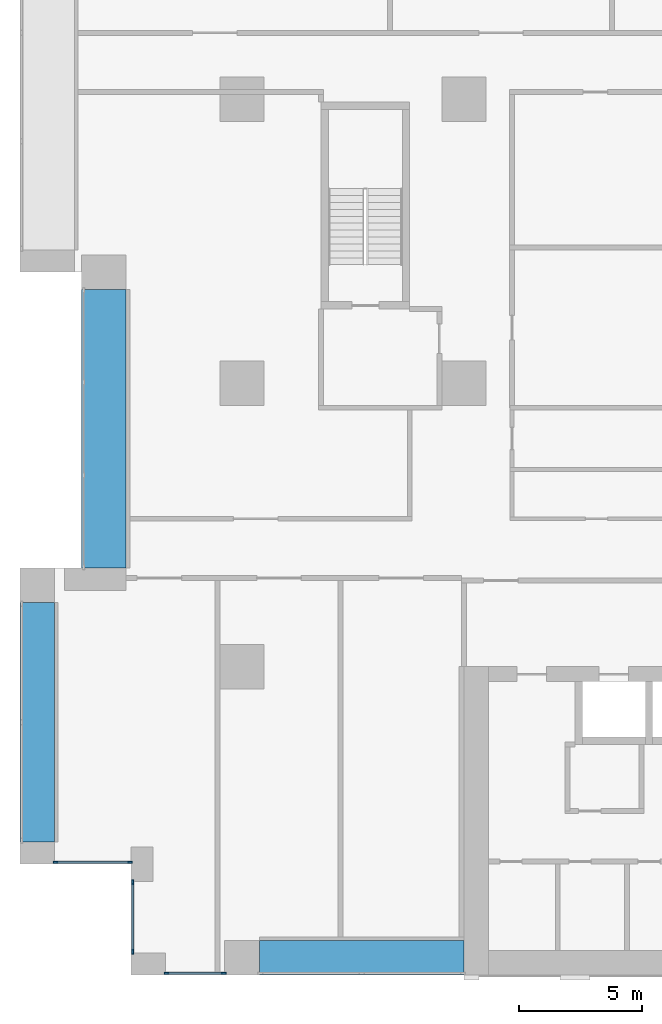
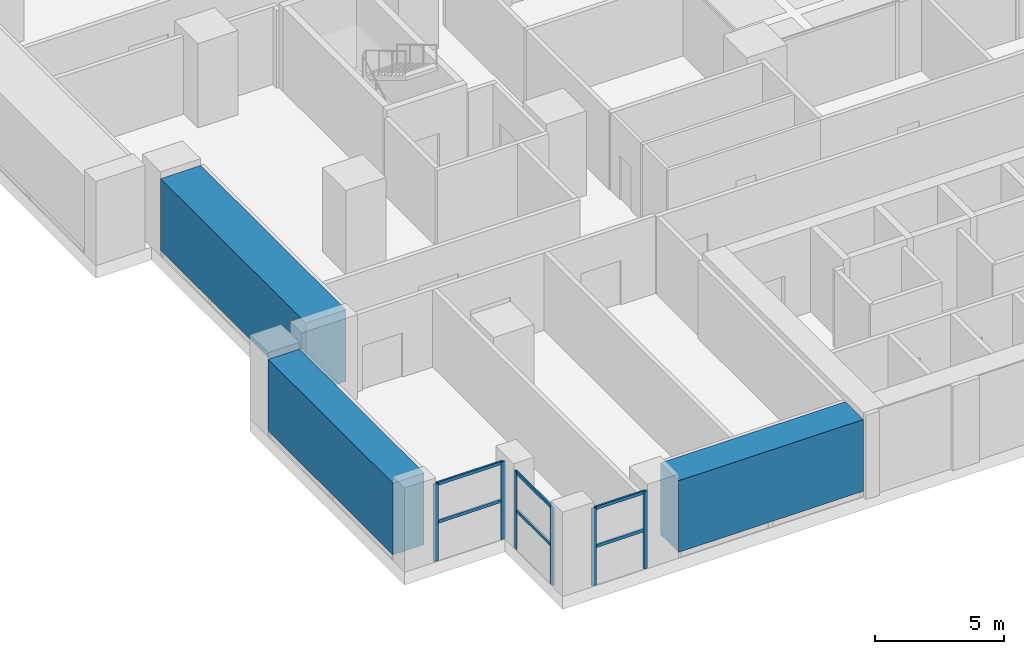
# One storey, part 2 of 24: 12 members, 3 beams, 3 elements without a shape of their own.
"""IFC4 building model written with IfcOpenShell, lengths in metres."""

from ifc_helpers import new_model, si_unit, direction, frame, origin, origin_2d, place, context, subcontext, project, spatial, rectangle, extrude, material, layer, layer_set, material_profile, profile_set, type_object, element, aggregate, save


model = new_model("IFC4")

# Units and contexts
model_context = context("Model", 3, precision=1e-05, world=origin(), true_north=direction((0.0, 1.0)))
body_context = subcontext(model_context, "Body", "Model", "MODEL_VIEW")
ifc_project = project(units=[si_unit("LENGTHUNIT", "METRE"), si_unit("AREAUNIT", "SQUARE_METRE"), si_unit("VOLUMEUNIT", "CUBIC_METRE"), si_unit("PLANEANGLEUNIT", "RADIAN"), si_unit("MASSUNIT", "GRAM", prefix="KILO")], contexts=[model_context])

# Site, building, storey
site_placement = place(None, origin())
site = spatial("IfcSite", under=ifc_project, at=site_placement, CompositionType="ELEMENT")
building_placement = place(site_placement, origin())
building = spatial("IfcBuilding", under=site, at=building_placement, Name="Brigalow Station Residences", CompositionType="ELEMENT")
storey_placement = place(building_placement, frame((0.0, 0.0, 15.5)))
storey = spatial("IfcBuildingStorey", under=building, at=storey_placement, Name="L03", CompositionType="ELEMENT", Elevation=15.5)

# Curtain wall, members
ifc_material_1 = material(Name="Aluminium", Category="aluminium")
ifc_layer = layer(ifc_material_1, 0.199951171875)
ifc_layer_set = layer_set([ifc_layer], Name="REFUGE FLOOR LOUVRE CURTAIN WALL")
curtain_wall_type = type_object("IfcCurtainWallType", Name="REFUGE FLOOR LOUVRE CURTAIN WALL", PredefinedType="NOTDEFINED", material=ifc_layer_set)
curtain_wall_1_placement = place(storey_placement, origin())
curtain_wall_1 = element("IfcCurtainWall", 1, at=curtain_wall_1_placement, inside=storey, type_object=curtain_wall_type, Name="L03/cw/louvre-W-L03-1-1", PredefinedType="NOTDEFINED")
ifc_material_2 = material(Name="Aluminium", Category="aluminium")
ifc_material_profile_1 = material_profile(ifc_material_2, rectangle(XDim=0.080078125, YDim=0.199951171875, at=origin_2d()), Name="REFUGE FLOOR LOUVRE MULLION 80x200")
ifc_profile_set_1 = profile_set([ifc_material_profile_1], Name="Aluminium")
member_type_1 = type_object("IfcMemberType", Name="REFUGE FLOOR LOUVRE MULLION 80x200", PredefinedType="MULLION", material=ifc_profile_set_1)
member_1_placement = place(storey_placement, frame((5.93994140625, 0.074951171875, 0.0), z_axis=(0.0, 0.0, 1.0), x_axis=(0.0, 1.0, 0.0)))
member_1 = element("IfcMember", 2, at=member_1_placement, type_object=member_type_1, Name="L03/cw/louvre-W-L03-1-1/M00", PredefinedType="MULLION", context=body_context, shape_type="SweptSolid", body=[
    extrude(rectangle(XDim=0.080078125, YDim=0.199951171875, at=origin_2d()), origin(), (0.0, 0.0, 1.0), 3.679931640625),
])
member_2_placement = place(storey_placement, frame((8.260009765625, 0.074951171875, 0.0), z_axis=(0.0, 0.0, 1.0), x_axis=(0.0, 1.0, 0.0)))
member_2 = element("IfcMember", 3, at=member_2_placement, type_object=member_type_1, Name="L03/cw/louvre-W-L03-1-1/M01", PredefinedType="MULLION", context=body_context, shape_type="SweptSolid", body=[
    extrude(rectangle(XDim=0.080078125, YDim=0.199951171875, at=origin_2d()), origin(), (0.0, 0.0, 1.0), 3.679931640625),
])

curtain_wall_2_placement = place(storey_placement, origin())
curtain_wall_2 = element("IfcCurtainWall", 4, at=curtain_wall_2_placement, inside=storey, type_object=curtain_wall_type, Name="L03/cw/louvre-W-L03-54-10", PredefinedType="NOTDEFINED")
member_3_placement = place(storey_placement, frame((1.43994140625, 4.574951171875, 0.0), z_axis=(0.0, 0.0, 1.0), x_axis=(0.0, 1.0, 0.0)))
member_3 = element("IfcMember", 5, at=member_3_placement, type_object=member_type_1, Name="L03/cw/louvre-W-L03-54-10/M00", PredefinedType="MULLION", context=body_context, shape_type="SweptSolid", body=[
    extrude(rectangle(XDim=0.080078125, YDim=0.199951171875, at=origin_2d()), origin(), (0.0, 0.0, 1.0), 3.679931640625),
])
member_4_placement = place(storey_placement, frame((4.4599609375, 4.574951171875, 0.0), z_axis=(0.0, 0.0, 1.0), x_axis=(0.0, 1.0, 0.0)))
member_4 = element("IfcMember", 6, at=member_4_placement, type_object=member_type_1, Name="L03/cw/louvre-W-L03-54-10/M01", PredefinedType="MULLION", context=body_context, shape_type="SweptSolid", body=[
    extrude(rectangle(XDim=0.080078125, YDim=0.199951171875, at=origin_2d()), origin(), (0.0, 0.0, 1.0), 3.679931640625),
])

curtain_wall_3_placement = place(storey_placement, origin())
curtain_wall_3 = element("IfcCurtainWall", 7, at=curtain_wall_3_placement, inside=storey, type_object=curtain_wall_type, Name="L03/cw/louvre-W-L03-55-11", PredefinedType="NOTDEFINED")
member_5_placement = place(storey_placement, frame((4.574951171875, 3.760009765625, 0.0), z_axis=(0.0, 0.0, 1.0), x_axis=(1.0, 0.0, 0.0)))
member_5 = element("IfcMember", 8, at=member_5_placement, type_object=member_type_1, Name="L03/cw/louvre-W-L03-55-11/M00", PredefinedType="MULLION", context=body_context, shape_type="SweptSolid", body=[
    extrude(rectangle(XDim=0.080078125, YDim=0.199951171875, at=origin_2d()), origin(), (0.0, 0.0, 1.0), 3.679931640625),
])
member_6_placement = place(storey_placement, frame((4.574951171875, 0.93994140625, 0.0), z_axis=(0.0, 0.0, 1.0), x_axis=(1.0, 0.0, 0.0)))
member_6 = element("IfcMember", 9, at=member_6_placement, type_object=member_type_1, Name="L03/cw/louvre-W-L03-55-11/M01", PredefinedType="MULLION", context=body_context, shape_type="SweptSolid", body=[
    extrude(rectangle(XDim=0.080078125, YDim=0.199951171875, at=origin_2d()), origin(), (0.0, 0.0, 1.0), 3.679931640625),
])

# Member
ifc_material_3 = material(Name="Aluminium", Category="aluminium")
ifc_material_profile_2 = material_profile(ifc_material_3, rectangle(XDim=0.080078125, YDim=0.14990234375, at=origin_2d()), Name="REFUGE FLOOR LOUVRE TRANSOM 80x150")
ifc_profile_set_2 = profile_set([ifc_material_profile_2], Name="Aluminium")
member_type_2 = type_object("IfcMemberType", Name="REFUGE FLOOR LOUVRE TRANSOM 80x150", PredefinedType="USERDEFINED", material=ifc_profile_set_2)
member_7_placement = place(storey_placement, frame((5.97998046875, 0.074951171875, 1.840087890625), z_axis=(1.0, 0.0, 0.0), x_axis=(0.0, 1.0, 0.0)))
member_7 = element("IfcMember", 10, at=member_7_placement, type_object=member_type_2, Name="L03/cw/louvre-W-L03-1-1/T00-00", ObjectType="TRANSOM", PredefinedType="USERDEFINED", context=body_context, shape_type="SweptSolid", body=[
    extrude(rectangle(XDim=0.080078125, YDim=0.14990234375, at=origin_2d()), origin(), (0.0, 0.0, 1.0), 2.239990234375),
])

member_8_placement = place(storey_placement, frame((5.97998046875, 0.074951171875, 3.639892578125), z_axis=(1.0, 0.0, 0.0), x_axis=(0.0, 1.0, 0.0)))
member_8 = element("IfcMember", 11, at=member_8_placement, type_object=member_type_2, Name="L03/cw/louvre-W-L03-1-1/T00-01", ObjectType="TRANSOM", PredefinedType="USERDEFINED", context=body_context, shape_type="SweptSolid", body=[
    extrude(rectangle(XDim=0.080078125, YDim=0.14990234375, at=origin_2d()), origin(), (0.0, 0.0, 1.0), 2.239990234375),
])

aggregate(curtain_wall_1, [member_1, member_2, member_7, member_8])

member_9_placement = place(storey_placement, frame((1.47998046875, 4.574951171875, 1.840087890625), z_axis=(1.0, 0.0, 0.0), x_axis=(0.0, 1.0, 0.0)))
member_9 = element("IfcMember", 12, at=member_9_placement, type_object=member_type_2, Name="L03/cw/louvre-W-L03-54-10/T00-00", ObjectType="TRANSOM", PredefinedType="USERDEFINED", context=body_context, shape_type="SweptSolid", body=[
    extrude(rectangle(XDim=0.080078125, YDim=0.14990234375, at=origin_2d()), origin(), (0.0, 0.0, 1.0), 2.93994140625),
])

member_10_placement = place(storey_placement, frame((1.47998046875, 4.574951171875, 3.639892578125), z_axis=(1.0, 0.0, 0.0), x_axis=(0.0, 1.0, 0.0)))
member_10 = element("IfcMember", 13, at=member_10_placement, type_object=member_type_2, Name="L03/cw/louvre-W-L03-54-10/T00-01", ObjectType="TRANSOM", PredefinedType="USERDEFINED", context=body_context, shape_type="SweptSolid", body=[
    extrude(rectangle(XDim=0.080078125, YDim=0.14990234375, at=origin_2d()), origin(), (0.0, 0.0, 1.0), 2.93994140625),
])

aggregate(curtain_wall_2, [member_3, member_4, member_9, member_10])

member_11_placement = place(storey_placement, frame((4.574951171875, 3.719970703125, 1.840087890625), z_axis=(0.0, -1.0, 0.0), x_axis=(1.0, 0.0, 0.0)))
member_11 = element("IfcMember", 14, at=member_11_placement, type_object=member_type_2, Name="L03/cw/louvre-W-L03-55-11/T00-00", ObjectType="TRANSOM", PredefinedType="USERDEFINED", context=body_context, shape_type="SweptSolid", body=[
    extrude(rectangle(XDim=0.080078125, YDim=0.14990234375, at=origin_2d()), origin(), (0.0, 0.0, 1.0), 2.739990234375),
])

member_12_placement = place(storey_placement, frame((4.574951171875, 3.719970703125, 3.639892578125), z_axis=(0.0, -1.0, 0.0), x_axis=(1.0, 0.0, 0.0)))
member_12 = element("IfcMember", 15, at=member_12_placement, type_object=member_type_2, Name="L03/cw/louvre-W-L03-55-11/T00-01", ObjectType="TRANSOM", PredefinedType="USERDEFINED", context=body_context, shape_type="SweptSolid", body=[
    extrude(rectangle(XDim=0.080078125, YDim=0.14990234375, at=origin_2d()), origin(), (0.0, 0.0, 1.0), 2.739990234375),
])

aggregate(curtain_wall_3, [member_5, member_6, member_11, member_12])

# Beams
ifc_material_4 = material(Name="Concrete C80", Category="concrete")
ifc_material_profile_3 = material_profile(ifc_material_4, rectangle(XDim=1.39990234375, YDim=3.39990234375, at=origin_2d()), Name="RC1400x3400")
ifc_profile_set_3 = profile_set([ifc_material_profile_3], Name="Concrete C80")
beam_type_1 = type_object("IfcBeamType", Name="TRANSFER GIRDER 1400x3400 C80", PredefinedType="USERDEFINED", material=ifc_profile_set_3)
beam_1_placement = place(storey_placement, frame((9.699951171875, 0.699951171875, 1.97998046875), z_axis=(1.0, 0.0, 0.0), x_axis=(0.0, 1.0, 0.0)))
element("IfcBeam", 16, at=beam_1_placement, inside=storey, type_object=beam_type_1, Name="TRANSFER GIRDER S-3 L03", ObjectType="TRANSFER GIRDER", PredefinedType="USERDEFINED", context=body_context, shape_type="SweptSolid", body=[
    extrude(rectangle(XDim=1.39990234375, YDim=3.39990234375, at=origin_2d()), origin(), (0.0, 0.0, 1.0), 8.300048828125),
])
beam_2_placement = place(storey_placement, frame((0.699951171875, 15.10009765625, 1.97998046875), z_axis=(0.0, -1.0, 0.0), x_axis=(1.0, 0.0, 0.0)))
element("IfcBeam", 17, at=beam_2_placement, inside=storey, type_object=beam_type_1, Name="TRANSFER GIRDER W1-2 L03", ObjectType="TRANSFER GIRDER", PredefinedType="USERDEFINED", context=body_context, shape_type="SweptSolid", body=[
    extrude(rectangle(XDim=1.39990234375, YDim=3.39990234375, at=origin_2d()), origin(), (0.0, 0.0, 1.0), 9.7001953125),
])
ifc_material_5 = material(Name="Concrete C80", Category="concrete")
ifc_material_profile_4 = material_profile(ifc_material_5, rectangle(XDim=1.800048828125, YDim=3.39990234375, at=origin_2d()), Name="RC1800x3400")
ifc_profile_set_4 = profile_set([ifc_material_profile_4], Name="Concrete C80")
beam_type_2 = type_object("IfcBeamType", Name="TRANSFER GIRDER 9.9 TO 12 M SPAN 1800x3400 C80", PredefinedType="USERDEFINED", material=ifc_profile_set_4)
beam_3_placement = place(storey_placement, frame((3.39990234375, 27.800048828125, 1.97998046875), z_axis=(0.0, -1.0, 0.0), x_axis=(1.0, 0.0, 0.0)))
element("IfcBeam", 18, at=beam_3_placement, inside=storey, type_object=beam_type_2, Name="TRANSFER GIRDER WL2-2 L03", ObjectType="TRANSFER GIRDER", PredefinedType="USERDEFINED", context=body_context, shape_type="SweptSolid", body=[
    extrude(rectangle(XDim=1.800048828125, YDim=3.39990234375, at=origin_2d()), origin(), (0.0, 0.0, 1.0), 11.300048828125),
])

save(model, "model.ifc")
